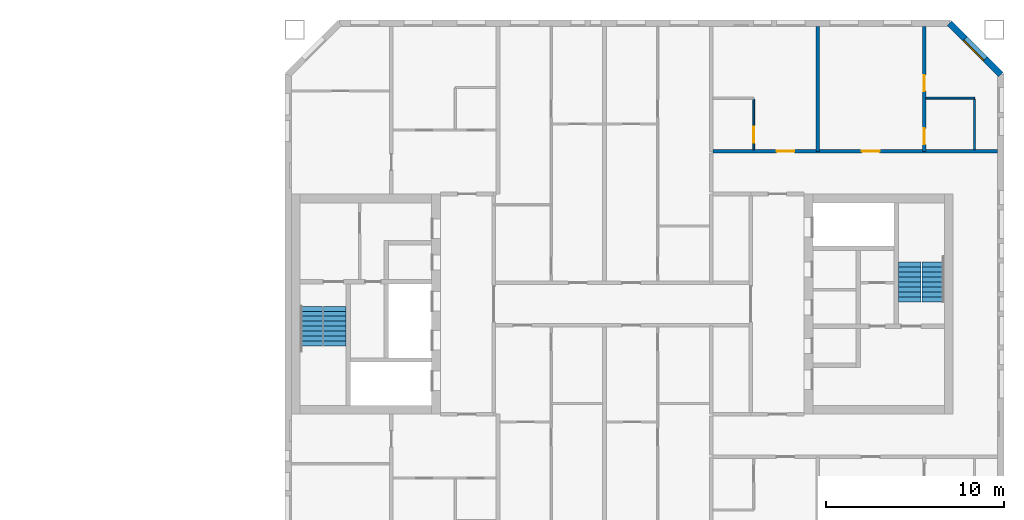
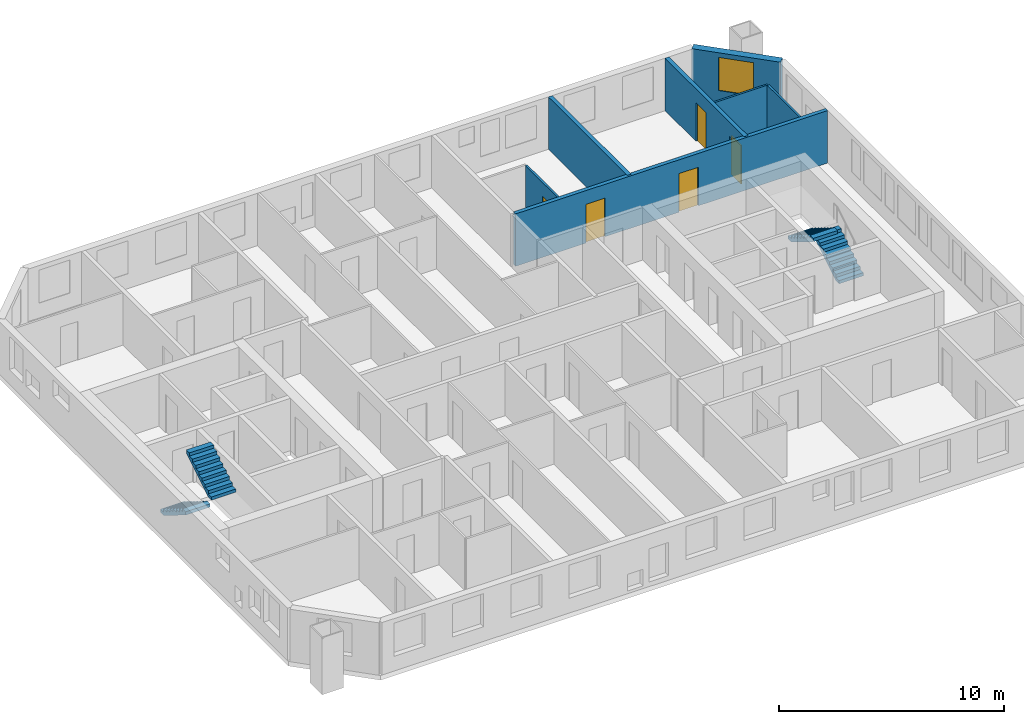
# One storey, part 13 of 15: 7 walls, 5 doors, 4 stair flights, 1 window, 6 openings, 2 elements without a shape of their own.
"""IFC4 building model written with IfcOpenShell, lengths in metres."""

from ifc_helpers import new_model, si_unit, direction, frame, frame_2d, origin, place, context, subcontext, project, spatial, polyline, rectangle, outline, extrude, material, layer, layer_set, type_object, element, fill, aggregate, save


model = new_model("IFC4")

# Units and contexts
model_context = context("Model", 3, precision=1e-05, world=origin(), true_north=direction((0.0, 1.0)))
body_context = subcontext(model_context, "Body", "Model", "MODEL_VIEW")
ifc_project = project(units=[si_unit("LENGTHUNIT", "METRE"), si_unit("AREAUNIT", "SQUARE_METRE"), si_unit("VOLUMEUNIT", "CUBIC_METRE"), si_unit("PLANEANGLEUNIT", "RADIAN"), si_unit("MASSUNIT", "GRAM", prefix="KILO")], contexts=[model_context])

# Site, building, storey
site_placement = place(None, origin())
site = spatial("IfcSite", under=ifc_project, at=site_placement, CompositionType="ELEMENT")
building_placement = place(site_placement, origin())
building = spatial("IfcBuilding", under=site, at=building_placement, Name="Tuart Gate Housing", CompositionType="ELEMENT")
storey_placement = place(building_placement, frame((0.0, 0.0, 160.89990234375)))
storey = spatial("IfcBuildingStorey", under=building, at=storey_placement, Name="L45", CompositionType="ELEMENT", Elevation=160.89990234375)

# Wall, opening, window
ifc_material_1 = material(Name="Brick", Category="masonry")
ifc_layer_1 = layer(ifc_material_1, 0.360107421875)
ifc_layer_set_1 = layer_set([ifc_layer_1], Name="Brick pier and spandrel wall 360")
wall_type_1 = type_object("IfcWallType", Name="Brick pier and spandrel wall 360", PredefinedType="STANDARD", material=ifc_layer_set_1)
wall_1_placement = place(storey_placement, frame((171.320068359375, 82.92529296875, 0.0), z_axis=(0.0, 0.0, 1.0), x_axis=(-0.707106781187, 0.707106781187, 0.0)))
wall_1 = element("IfcWall", 1, at=wall_1_placement, inside=storey, type_object=wall_type_1, Name="External wall B-NE L45", PredefinedType="STANDARD", context=body_context, shape_type="SweptSolid", body=[
    extrude(rectangle(XDim=4.09375, YDim=0.360107421875, at=frame_2d((2.046875, 0.0))), origin(), (0.0, 0.0, 1.0), 2.85009765625),
])
opening_1_placement = place(wall_1_placement, frame((1.2470703125, 0.0, 0.800048828125)))
opening_1 = element("IfcOpeningElement", 2, at=opening_1_placement, cuts=wall_1, Name="Opening W1", PredefinedType="OPENING", context=body_context, shape_type="SweptSolid", body=[
    extrude(rectangle(XDim=1.60009765625, YDim=1.800048828125, at=frame_2d((0.800048828125, 0.89990234375))), frame((0.0, 0.18994140625, 0.0), z_axis=(0.0, -1.0, 0.0), x_axis=(1.0, 0.0, 0.0)), (0.0, 0.0, 1.0), 0.380126953125),
])
ifc_material_2 = material(Name="Aluminium frame with clear glass", Category="aluminium")
window_type = type_object("IfcWindowType", Name="Punched window 1600 x 1800", PartitioningType="SINGLE_PANEL", PredefinedType="WINDOW", material=ifc_material_2)
window_placement = place(opening_1_placement, origin())
window = element("IfcWindow", 3, at=window_placement, inside=storey, type_object=window_type, Name="Window W1", OverallHeight=1.800048828125, OverallWidth=1.60009765625, PartitioningType="SINGLE_PANEL", PredefinedType="WINDOW", context=body_context, shape_type="SweptSolid", body=[
    extrude(rectangle(XDim=1.60009765625, YDim=1.800048828125, at=frame_2d((0.800048828125, 0.89990234375))), frame((0.0, 0.150146484375, 0.0), z_axis=(0.0, -1.0, 0.0), x_axis=(1.0, 0.0, 0.0)), (0.0, 0.0, 1.0), 0.06005859375),
])
fill(opening_1, window)

# Wall, openings, doors
ifc_material_3 = material(Name="Concrete masonry 15 MPa", Category="masonry")
ifc_layer_2 = layer(ifc_material_3, 0.199951171875)
ifc_layer_set_2 = layer_set([ifc_layer_2], Name="Corridor wall masonry 200")
wall_type_2 = type_object("IfcWallType", Name="Corridor wall masonry 200", PredefinedType="PARTITIONING", material=ifc_layer_set_2)
wall_2_placement = place(storey_placement, frame((155.10009765625, 78.60009765625, 0.0), z_axis=(0.0, 0.0, 1.0), x_axis=(1.0, 0.0, 0.0)))
wall_2 = element("IfcWall", 4, at=wall_2_placement, inside=storey, type_object=wall_type_2, Name="Corridor wall masonry 200", PredefinedType="PARTITIONING", context=body_context, shape_type="SweptSolid", body=[
    extrude(rectangle(XDim=16.039794921875, YDim=0.199951171875, at=frame_2d((8.02001953125, 0.0))), origin(), (0.0, 0.0, 1.0), 2.85009765625),
])
opening_2_placement = place(wall_2_placement, frame((3.60009765625, 0.0, 0.0)))
opening_2 = element("IfcOpeningElement", 5, at=opening_2_placement, cuts=wall_2, Name="Opening D1690", PredefinedType="OPENING", context=body_context, shape_type="SweptSolid", body=[
    extrude(rectangle(XDim=1.0, YDim=2.10009765625, at=frame_2d((0.5, 1.050048828125))), frame((0.0, 0.10986328125, 0.0), z_axis=(0.0, -1.0, 0.0), x_axis=(1.0, 0.0, 0.0)), (0.0, 0.0, 1.0), 0.219970703125),
])
opening_3_placement = place(wall_2_placement, frame((8.39990234375, 0.0, 0.0)))
opening_3 = element("IfcOpeningElement", 6, at=opening_3_placement, cuts=wall_2, Name="Opening D1691", PredefinedType="OPENING", context=body_context, shape_type="SweptSolid", body=[
    extrude(rectangle(XDim=1.0, YDim=2.10009765625, at=frame_2d((0.5, 1.050048828125))), frame((0.0, 0.10986328125, 0.0), z_axis=(0.0, -1.0, 0.0), x_axis=(1.0, 0.0, 0.0)), (0.0, 0.0, 1.0), 0.219970703125),
])
ifc_material_4 = material(Name="Timber door leaf in steel frame", Category="steel")
door_type_1 = type_object("IfcDoorType", Name="Flat entrance door 1000", OperationType="SINGLE_SWING_LEFT", PredefinedType="DOOR", material=ifc_material_4)
door_1_placement = place(opening_2_placement, origin())
door_1 = element("IfcDoor", 7, at=door_1_placement, inside=storey, type_object=door_type_1, Name="Flat entrance door", OperationType="SINGLE_SWING_LEFT", OverallHeight=2.10009765625, OverallWidth=1.0, PredefinedType="DOOR", context=body_context, shape_type="SweptSolid", body=[
    extrude(rectangle(XDim=1.0, YDim=2.10009765625, at=frame_2d((0.5, 1.050048828125))), frame((0.0, 0.02490234375, 0.0), z_axis=(0.0, -1.0, 0.0), x_axis=(1.0, 0.0, 0.0)), (0.0, 0.0, 1.0), 0.050048828125),
])
fill(opening_2, door_1)
door_2_placement = place(opening_3_placement, origin())
door_2 = element("IfcDoor", 8, at=door_2_placement, inside=storey, type_object=door_type_1, Name="Flat entrance door", OperationType="SINGLE_SWING_LEFT", OverallHeight=2.10009765625, OverallWidth=1.0, PredefinedType="DOOR", context=body_context, shape_type="SweptSolid", body=[
    extrude(rectangle(XDim=1.0, YDim=2.10009765625, at=frame_2d((0.5, 1.050048828125))), frame((0.0, 0.02490234375, 0.0), z_axis=(0.0, -1.0, 0.0), x_axis=(1.0, 0.0, 0.0)), (0.0, 0.0, 1.0), 0.050048828125),
])
fill(opening_3, door_2)

# Wall
ifc_material_5 = material(Name="Gypsum board on steel studs", Category="steel")
ifc_layer_3 = layer(ifc_material_5, 0.10009765625)
ifc_layer_set_3 = layer_set([ifc_layer_3], Name="Partition 100")
wall_type_3 = type_object("IfcWallType", Name="Partition 100", PredefinedType="PARTITIONING", material=ifc_layer_set_3)
wall_3_placement = place(storey_placement, frame((167.10009765625, 81.60009765625, 0.0), z_axis=(0.0, 0.0, 1.0), x_axis=(1.0, 0.0, 0.0)))
element("IfcWall", 9, at=wall_3_placement, inside=storey, type_object=wall_type_3, Name="Partition 100", PredefinedType="PARTITIONING", context=body_context, shape_type="SweptSolid", body=[
    extrude(rectangle(XDim=2.739990234375, YDim=0.10009765625, at=frame_2d((1.3701171875, 0.0))), origin(), (0.0, 0.0, 1.0), 2.85009765625),
])

# Wall, opening, door
wall_4_placement = place(storey_placement, frame((157.39990234375, 78.699951171875, 0.0), z_axis=(0.0, 0.0, 1.0), x_axis=(0.0, 1.0, 0.0)))
wall_4 = element("IfcWall", 10, at=wall_4_placement, inside=storey, type_object=wall_type_3, Name="Partition 100", PredefinedType="PARTITIONING", context=body_context, shape_type="SweptSolid", body=[
    extrude(rectangle(XDim=2.85009765625, YDim=0.10009765625, at=frame_2d((1.425048828125, 0.0))), origin(), (0.0, 0.0, 1.0), 2.85009765625),
])
opening_4_placement = place(wall_4_placement, frame((0.39990234375, 0.0, 0.0)))
opening_4 = element("IfcOpeningElement", 11, at=opening_4_placement, cuts=wall_4, Name="Opening D1687", PredefinedType="OPENING", context=body_context, shape_type="SweptSolid", body=[
    extrude(rectangle(XDim=0.89990234375, YDim=2.10009765625, at=frame_2d((0.449951171875, 1.050048828125))), frame((0.0, 0.06005859375, 0.0), z_axis=(0.0, -1.0, 0.0), x_axis=(1.0, 0.0, 0.0)), (0.0, 0.0, 1.0), 0.1201171875),
])
ifc_material_6 = material(Name="Timber door leaf in steel frame", Category="steel")
door_type_2 = type_object("IfcDoorType", Name="Bathroom door 900", OperationType="SINGLE_SWING_LEFT", PredefinedType="DOOR", material=ifc_material_6)
door_3_placement = place(opening_4_placement, origin())
door_3 = element("IfcDoor", 12, at=door_3_placement, inside=storey, type_object=door_type_2, Name="Bathroom door", OperationType="SINGLE_SWING_LEFT", OverallHeight=2.10009765625, OverallWidth=0.89990234375, PredefinedType="DOOR", context=body_context, shape_type="SweptSolid", body=[
    extrude(rectangle(XDim=0.89990234375, YDim=2.10009765625, at=frame_2d((0.449951171875, 1.050048828125))), frame((0.0, 0.02490234375, 0.0), z_axis=(0.0, -1.0, 0.0), x_axis=(1.0, 0.0, 0.0)), (0.0, 0.0, 1.0), 0.050048828125),
])
fill(opening_4, door_3)

# Walls
wall_5_placement = place(storey_placement, frame((169.840087890625, 78.699951171875, 0.0), z_axis=(0.0, 0.0, 1.0), x_axis=(0.0, 1.0, 0.0)))
element("IfcWall", 13, at=wall_5_placement, inside=storey, type_object=wall_type_3, Name="Partition 100", PredefinedType="PARTITIONING", context=body_context, shape_type="SweptSolid", body=[
    extrude(rectangle(XDim=2.85009765625, YDim=0.10009765625, at=frame_2d((1.425048828125, 0.0))), origin(), (0.0, 0.0, 1.0), 2.85009765625),
])
ifc_material_7 = material(Name="Concrete C40", Category="concrete")
ifc_layer_4 = layer(ifc_material_7, 0.199951171875)
ifc_layer_set_4 = layer_set([ifc_layer_4], Name="Party wall concrete C40 200")
wall_type_4 = type_object("IfcWallType", Name="Party wall concrete C40 200", PredefinedType="SOLIDWALL", material=ifc_layer_set_4)
wall_6_placement = place(storey_placement, frame((161.0, 78.60009765625, 0.0), z_axis=(0.0, 0.0, 1.0), x_axis=(0.0, 1.0, 0.0)))
element("IfcWall", 14, at=wall_6_placement, inside=storey, type_object=wall_type_4, Name="Party wall concrete C40 200", PredefinedType="SOLIDWALL", context=body_context, shape_type="SweptSolid", body=[
    extrude(rectangle(XDim=7.039794921875, YDim=0.199951171875, at=frame_2d((3.52001953125, 0.0))), origin(), (0.0, 0.0, 1.0), 2.85009765625),
])

# Wall, openings, doors
wall_7_placement = place(storey_placement, frame((167.0, 78.60009765625, 0.0), z_axis=(0.0, 0.0, 1.0), x_axis=(0.0, 1.0, 0.0)))
wall_7 = element("IfcWall", 15, at=wall_7_placement, inside=storey, type_object=wall_type_4, Name="Party wall concrete C40 200", PredefinedType="SOLIDWALL", context=body_context, shape_type="SweptSolid", body=[
    extrude(rectangle(XDim=7.039794921875, YDim=0.199951171875, at=frame_2d((3.52001953125, 0.0))), origin(), (0.0, 0.0, 1.0), 2.85009765625),
])
opening_5_placement = place(wall_7_placement, frame((3.39990234375, 0.0, 0.0)))
opening_5 = element("IfcOpeningElement", 16, at=opening_5_placement, cuts=wall_7, Name="Opening D1682", PredefinedType="OPENING", context=body_context, shape_type="SweptSolid", body=[
    extrude(rectangle(XDim=0.89990234375, YDim=2.10009765625, at=frame_2d((0.449951171875, 1.050048828125))), frame((0.0, 0.10986328125, 0.0), z_axis=(0.0, -1.0, 0.0), x_axis=(1.0, 0.0, 0.0)), (0.0, 0.0, 1.0), 0.219970703125),
])
opening_6_placement = place(wall_7_placement, frame((0.39990234375, 0.0, 0.0)))
opening_6 = element("IfcOpeningElement", 17, at=opening_6_placement, cuts=wall_7, Name="Opening D1681", PredefinedType="OPENING", context=body_context, shape_type="SweptSolid", body=[
    extrude(rectangle(XDim=0.89990234375, YDim=2.10009765625, at=frame_2d((0.449951171875, 1.050048828125))), frame((0.0, 0.10986328125, 0.0), z_axis=(0.0, -1.0, 0.0), x_axis=(1.0, 0.0, 0.0)), (0.0, 0.0, 1.0), 0.219970703125),
])
ifc_material_8 = material(Name="Timber door leaf in steel frame", Category="steel")
door_type_3 = type_object("IfcDoorType", Name="Bathroom door 900 RH", OperationType="SINGLE_SWING_RIGHT", PredefinedType="DOOR", material=ifc_material_8)
door_4_placement = place(opening_6_placement, frame((0.89990234375, 0.0, 0.0), z_axis=(0.0, 0.0, 1.0), x_axis=(-1.0, 0.0, 0.0)))
door_4 = element("IfcDoor", 18, at=door_4_placement, inside=storey, type_object=door_type_3, Name="Bathroom door", OperationType="SINGLE_SWING_RIGHT", OverallHeight=2.10009765625, OverallWidth=0.89990234375, PredefinedType="DOOR", context=body_context, shape_type="SweptSolid", body=[
    extrude(rectangle(XDim=0.89990234375, YDim=2.10009765625, at=frame_2d((0.449951171875, 1.050048828125))), frame((0.0, 0.025146484375, 0.0), z_axis=(0.0, -1.0, 0.0), x_axis=(1.0, 0.0, 0.0)), (0.0, 0.0, 1.0), 0.050048828125),
])
fill(opening_6, door_4)
ifc_material_9 = material(Name="Timber door leaf in steel frame", Category="steel")
door_type_4 = type_object("IfcDoorType", Name="Internal door 900 RH", OperationType="SINGLE_SWING_RIGHT", PredefinedType="DOOR", material=ifc_material_9)
door_5_placement = place(opening_5_placement, frame((0.89990234375, 0.0, 0.0), z_axis=(0.0, 0.0, 1.0), x_axis=(-1.0, 0.0, 0.0)))
door_5 = element("IfcDoor", 19, at=door_5_placement, inside=storey, type_object=door_type_4, Name="Internal door", OperationType="SINGLE_SWING_RIGHT", OverallHeight=2.10009765625, OverallWidth=0.89990234375, PredefinedType="DOOR", context=body_context, shape_type="SweptSolid", body=[
    extrude(rectangle(XDim=0.89990234375, YDim=2.10009765625, at=frame_2d((0.449951171875, 1.050048828125))), frame((0.0, 0.025146484375, 0.0), z_axis=(0.0, -1.0, 0.0), x_axis=(1.0, 0.0, 0.0)), (0.0, 0.0, 1.0), 0.050048828125),
])
fill(opening_5, door_5)

# Stair, stair flights
ifc_material_10 = material(Name="Concrete C40", Category="concrete")
stair_type = type_object("IfcStairType", Name="Core stair 1250", PredefinedType="HALF_TURN_STAIR", material=ifc_material_10)
stair_1_placement = place(storey_placement, origin())
stair_1 = element("IfcStair", 20, at=stair_1_placement, inside=storey, type_object=stair_type, Name="Stair SB1", PredefinedType="HALF_TURN_STAIR")
ifc_material_11 = material(Name="Concrete C40", Category="concrete")
stair_flight_type = type_object("IfcStairFlightType", Name="Stair flight 1250, 9 risers 172 x 280", PredefinedType="STRAIGHT", material=ifc_material_11)
stair_flight_1_placement = place(storey_placement, frame((132.485107421875, 69.875, 0.0), z_axis=(0.0, 0.0, 1.0), x_axis=(0.0, -1.0, 0.0)))
stair_flight_1 = element("IfcStairFlight", 21, at=stair_flight_1_placement, type_object=stair_flight_type, Name="SB1 flight 1", NumberOfRisers=9, NumberOfTreads=8, PredefinedType="STRAIGHT", RiserHeight=0.172222222, TreadLength=0.28, context=body_context, shape_type="SweptSolid", body=[
    extrude(outline(polyline([(0.0, 0.0), (0.0, 0.172119140625), (0.280029296875, 0.172119140625), (0.280029296875, 0.344482421875), (0.56005859375, 0.344482421875), (0.56005859375, 0.5166015625), (0.840087890625, 0.5166015625), (0.840087890625, 0.68896484375), (1.1201171875, 0.68896484375), (1.1201171875, 0.861083984375), (1.39990234375, 0.861083984375), (1.39990234375, 1.033447265625), (1.679931640625, 1.033447265625), (1.679931640625, 1.20556640625), (1.9599609375, 1.20556640625), (1.9599609375, 1.377685546875), (2.239990234375, 1.377685546875), (2.239990234375, 1.550048828125), (2.239990234375, 1.201904296875), (0.2861328125, 0.0), (0.0, 0.0)])), frame((0.0, 0.625, 0.0), z_axis=(0.0, -1.0, 0.0), x_axis=(1.0, 0.0, 0.0)), (0.0, 0.0, 1.0), 1.25),
])
stair_flight_2_placement = place(storey_placement, frame((133.81005859375, 67.635009765625, 1.550048828125), z_axis=(0.0, 0.0, 1.0), x_axis=(0.0, 1.0, 0.0)))
stair_flight_2 = element("IfcStairFlight", 22, at=stair_flight_2_placement, type_object=stair_flight_type, Name="SB1 flight 2", NumberOfRisers=9, NumberOfTreads=8, PredefinedType="STRAIGHT", RiserHeight=0.172222222, TreadLength=0.28, context=body_context, shape_type="SweptSolid", body=[
    extrude(outline(polyline([(0.0, 0.0), (0.0, 0.172119140625), (0.280029296875, 0.172119140625), (0.280029296875, 0.344482421875), (0.56005859375, 0.344482421875), (0.56005859375, 0.5166015625), (0.840087890625, 0.5166015625), (0.840087890625, 0.68896484375), (1.1201171875, 0.68896484375), (1.1201171875, 0.861083984375), (1.39990234375, 0.861083984375), (1.39990234375, 1.033447265625), (1.679931640625, 1.033447265625), (1.679931640625, 1.20556640625), (1.9599609375, 1.20556640625), (1.9599609375, 1.377685546875), (2.239990234375, 1.377685546875), (2.239990234375, 1.550048828125), (2.239990234375, 1.201904296875), (0.2861328125, 0.0), (0.0, 0.0)])), frame((0.0, 0.625, 0.0), z_axis=(0.0, -1.0, 0.0), x_axis=(1.0, 0.0, 0.0)), (0.0, 0.0, 1.0), 1.25),
])
aggregate(stair_1, [stair_flight_1, stair_flight_2])

stair_2_placement = place(storey_placement, origin())
stair_2 = element("IfcStair", 23, at=stair_2_placement, inside=storey, type_object=stair_type, Name="Stair SB2", PredefinedType="HALF_TURN_STAIR")
stair_flight_3_placement = place(storey_placement, frame((167.514892578125, 70.125, 0.0), z_axis=(0.0, 0.0, 1.0), x_axis=(0.0, 1.0, 0.0)))
stair_flight_3 = element("IfcStairFlight", 24, at=stair_flight_3_placement, type_object=stair_flight_type, Name="SB2 flight 1", NumberOfRisers=9, NumberOfTreads=8, PredefinedType="STRAIGHT", RiserHeight=0.172222222, TreadLength=0.28, context=body_context, shape_type="SweptSolid", body=[
    extrude(outline(polyline([(0.0, 0.0), (0.0, 0.172119140625), (0.280029296875, 0.172119140625), (0.280029296875, 0.344482421875), (0.56005859375, 0.344482421875), (0.56005859375, 0.5166015625), (0.840087890625, 0.5166015625), (0.840087890625, 0.68896484375), (1.1201171875, 0.68896484375), (1.1201171875, 0.861083984375), (1.39990234375, 0.861083984375), (1.39990234375, 1.033447265625), (1.679931640625, 1.033447265625), (1.679931640625, 1.20556640625), (1.9599609375, 1.20556640625), (1.9599609375, 1.377685546875), (2.239990234375, 1.377685546875), (2.239990234375, 1.550048828125), (2.239990234375, 1.201904296875), (0.2861328125, 0.0), (0.0, 0.0)])), frame((0.0, 0.625, 0.0), z_axis=(0.0, -1.0, 0.0), x_axis=(1.0, 0.0, 0.0)), (0.0, 0.0, 1.0), 1.25),
])
stair_flight_4_placement = place(storey_placement, frame((166.18994140625, 72.364990234375, 1.550048828125), z_axis=(0.0, 0.0, 1.0), x_axis=(0.0, -1.0, 0.0)))
stair_flight_4 = element("IfcStairFlight", 25, at=stair_flight_4_placement, type_object=stair_flight_type, Name="SB2 flight 2", NumberOfRisers=9, NumberOfTreads=8, PredefinedType="STRAIGHT", RiserHeight=0.172222222, TreadLength=0.28, context=body_context, shape_type="SweptSolid", body=[
    extrude(outline(polyline([(0.0, 0.0), (0.0, 0.172119140625), (0.280029296875, 0.172119140625), (0.280029296875, 0.344482421875), (0.56005859375, 0.344482421875), (0.56005859375, 0.5166015625), (0.840087890625, 0.5166015625), (0.840087890625, 0.68896484375), (1.1201171875, 0.68896484375), (1.1201171875, 0.861083984375), (1.39990234375, 0.861083984375), (1.39990234375, 1.033447265625), (1.679931640625, 1.033447265625), (1.679931640625, 1.20556640625), (1.9599609375, 1.20556640625), (1.9599609375, 1.377685546875), (2.239990234375, 1.377685546875), (2.239990234375, 1.550048828125), (2.239990234375, 1.201904296875), (0.2861328125, 0.0), (0.0, 0.0)])), frame((0.0, 0.625, 0.0), z_axis=(0.0, -1.0, 0.0), x_axis=(1.0, 0.0, 0.0)), (0.0, 0.0, 1.0), 1.25),
])
aggregate(stair_2, [stair_flight_3, stair_flight_4])

save(model, "model.ifc")
